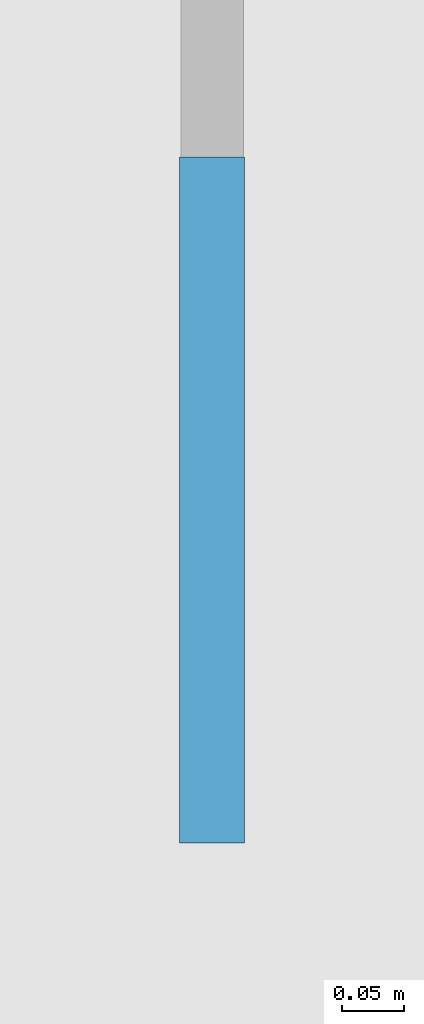
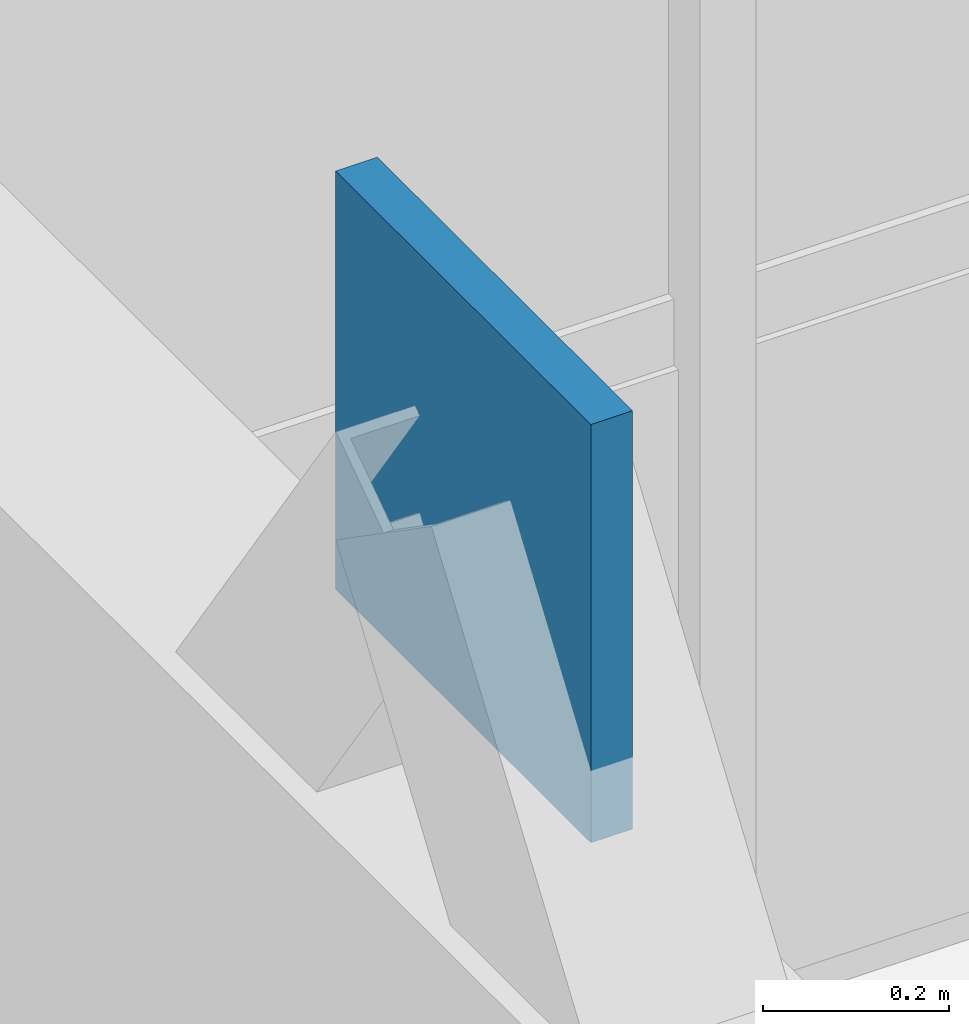
# One storey, part 26 of 45: 1 plate.
"""IFC4 building model written with IfcOpenShell, lengths in metres."""

from ifc_helpers import new_model, si_unit, direction, frame, origin, origin_2d, place, context, subcontext, project, spatial, rectangle, extrude, material, layer, layer_set, type_object, element, save


model = new_model("IFC4")

# Units and contexts
model_context = context("Model", 3, precision=1e-05, world=origin(), true_north=direction((0.0, 1.0)))
body_context = subcontext(model_context, "Body", "Model", "MODEL_VIEW")
ifc_project = project(units=[si_unit("LENGTHUNIT", "METRE"), si_unit("AREAUNIT", "SQUARE_METRE"), si_unit("VOLUMEUNIT", "CUBIC_METRE"), si_unit("PLANEANGLEUNIT", "RADIAN"), si_unit("MASSUNIT", "GRAM", prefix="KILO")], contexts=[model_context])

# Site, building, storey
site_placement = place(None, origin())
site = spatial("IfcSite", under=ifc_project, at=site_placement, CompositionType="ELEMENT")
building_placement = place(site_placement, origin())
building = spatial("IfcBuilding", under=site, at=building_placement, Name="Yarey Park Central Fire Station", CompositionType="ELEMENT")
storey_placement = place(building_placement, origin())
storey = spatial("IfcBuildingStorey", under=building, at=storey_placement, Name="L01", CompositionType="ELEMENT", Elevation=0.0)

# Plate
ifc_material = material(Name="Steel ASTM A572 Gr. 50", Category="steel")
ifc_layer = layer(ifc_material, 0.052001953125)
ifc_layer_set = layer_set([ifc_layer], Name="Steel ASTM A572 Gr. 50")
plate_type = type_object("IfcPlateType", Name="STR_PLT_NODE3", PredefinedType="USERDEFINED", material=ifc_layer_set)
plate_placement = place(storey_placement, frame((115.199951171875, 104.39990234375, 5.1748046875), z_axis=(0.0, 0.0, 1.0), x_axis=(1.0, 0.0, 0.0)))
element("IfcPlate", 1, at=plate_placement, inside=storey, type_object=plate_type, Name="NODE_PLT_V4_L01", ObjectType="GUSSET_PLATE", PredefinedType="USERDEFINED", context=body_context, shape_type="SweptSolid", body=[
    extrude(rectangle(XDim=0.052001953125, YDim=0.550048828125, at=origin_2d()), origin(), (0.0, 0.0, 1.0), 0.550048828125),
])

save(model, "model.ifc")
